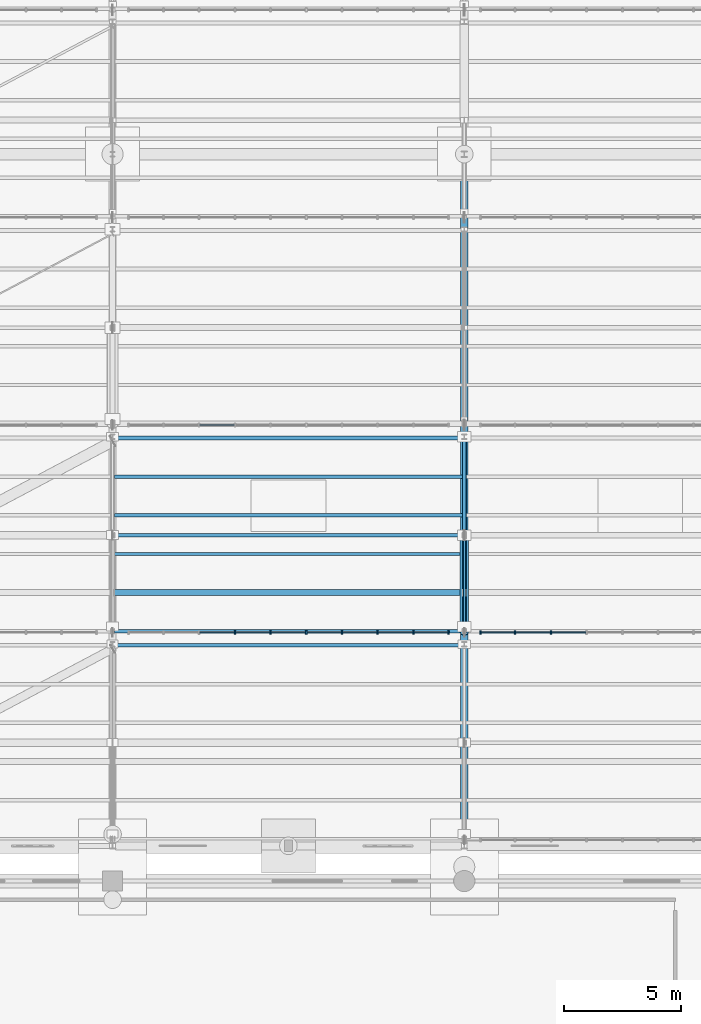
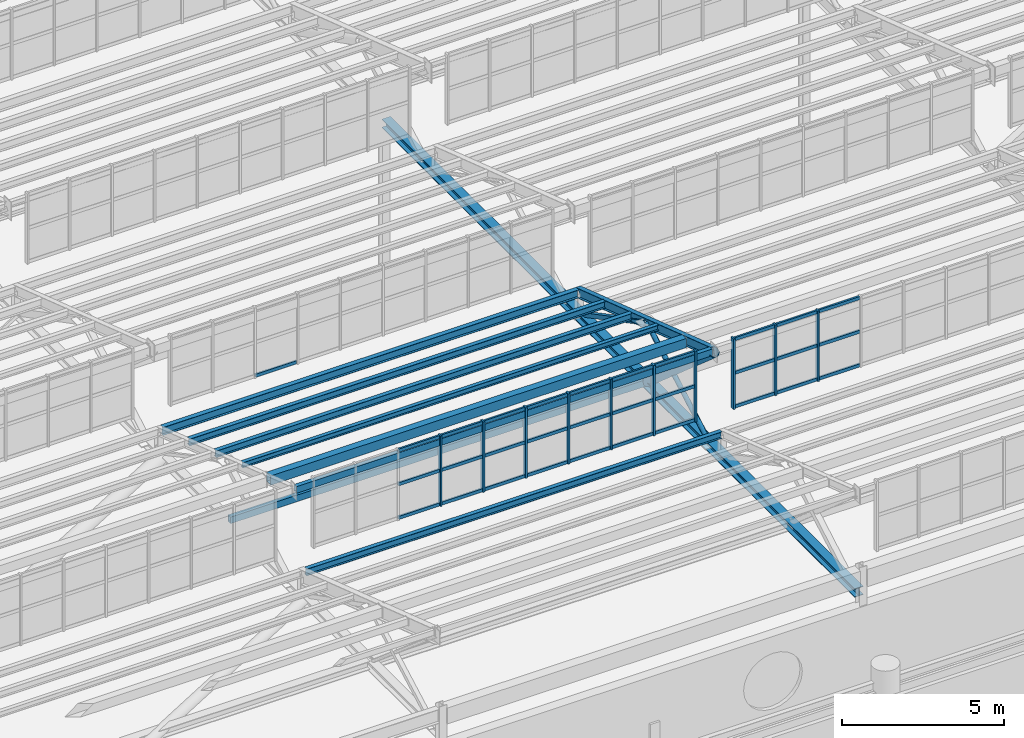
# One storey, part 76 of 285: 45 members, 9 beams, 3 elements without a shape of their own.
"""IFC4 building model written with IfcOpenShell, lengths in metres."""

from ifc_helpers import new_model, si_unit, direction, frame, origin, origin_2d, place, context, subcontext, project, spatial, rectangle, hollow_rectangle, hollow_circle, i_section, extrude, material, material_profile, profile_set, type_object, element, aggregate, save


model = new_model("IFC4")

# Units and contexts
model_context = context("Model", 3, precision=1e-05, world=origin(), true_north=direction((0.0, 1.0)))
body_context = subcontext(model_context, "Body", "Model", "MODEL_VIEW")
ifc_project = project(units=[si_unit("LENGTHUNIT", "METRE"), si_unit("AREAUNIT", "SQUARE_METRE"), si_unit("VOLUMEUNIT", "CUBIC_METRE"), si_unit("PLANEANGLEUNIT", "RADIAN"), si_unit("MASSUNIT", "GRAM", prefix="KILO")], contexts=[model_context])

# Site, building, storey
site_placement = place(None, origin())
site = spatial("IfcSite", under=ifc_project, at=site_placement, CompositionType="ELEMENT")
building_placement = place(site_placement, origin())
building = spatial("IfcBuilding", under=site, at=building_placement, Name="Solanera Park Tramway Depot", CompositionType="ELEMENT")
storey_placement = place(building_placement, origin())
storey = spatial("IfcBuildingStorey", under=building, at=storey_placement, Name="L00", CompositionType="ELEMENT", Elevation=0.0)

# Curtain wall, members
ifc_material_1 = material(Name="Bronze-anodised thermally broken aluminium curtain wall", Category="aluminium")
curtain_wall_type = type_object("IfcCurtainWallType", Name="Sawtooth Clerestory Monitor Curtain Wall", PredefinedType="NOTDEFINED", material=ifc_material_1)
curtain_wall_1_placement = place(storey_placement, origin())
curtain_wall_1 = element("IfcCurtainWall", 1, at=curtain_wall_1_placement, inside=storey, type_object=curtain_wall_type, Name="L00 Sawtooth Clerestory Monitor Curtain Wall #007", PredefinedType="NOTDEFINED")
ifc_material_2 = material(Name="Bronze-anodised structural aluminium 6063-T6", Category="aluminium")
ifc_material_profile_1 = material_profile(ifc_material_2, rectangle(XDim=0.06494140625, YDim=0.14990234375, at=origin_2d()), Name="Curtain Wall Mullion 65x150")
ifc_profile_set_1 = profile_set([ifc_material_profile_1], Name="Bronze-anodised structural aluminium 6063-T6")
member_type_1 = type_object("IfcMemberType", Name="Curtain Wall Mullion 65x150", PredefinedType="MULLION", material=ifc_profile_set_1)
member_1_placement = place(storey_placement, frame((65.216796875, 64.60009765625, 7.75), z_axis=(0.0, 0.0, 1.0), x_axis=(1.0, 0.0, 0.0)))
member_1 = element("IfcMember", 2, at=member_1_placement, type_object=member_type_1, Name="CW-L00-007 Mullion 4", PredefinedType="MULLION", context=body_context, shape_type="SweptSolid", body=[
    extrude(rectangle(XDim=0.06494140625, YDim=0.14990234375, at=origin_2d()), origin(), (0.0, 0.0, 1.0), 2.6611328125),
])
member_2_placement = place(storey_placement, frame((66.739013671875, 64.60009765625, 7.75), z_axis=(0.0, 0.0, 1.0), x_axis=(1.0, 0.0, 0.0)))
member_2 = element("IfcMember", 3, at=member_2_placement, type_object=member_type_1, Name="CW-L00-007 Mullion 5", PredefinedType="MULLION", context=body_context, shape_type="SweptSolid", body=[
    extrude(rectangle(XDim=0.06494140625, YDim=0.14990234375, at=origin_2d()), origin(), (0.0, 0.0, 1.0), 2.6611328125),
])
member_3_placement = place(storey_placement, frame((68.260986328125, 64.60009765625, 7.75), z_axis=(0.0, 0.0, 1.0), x_axis=(1.0, 0.0, 0.0)))
member_3 = element("IfcMember", 4, at=member_3_placement, type_object=member_type_1, Name="CW-L00-007 Mullion 6", PredefinedType="MULLION", context=body_context, shape_type="SweptSolid", body=[
    extrude(rectangle(XDim=0.06494140625, YDim=0.14990234375, at=origin_2d()), origin(), (0.0, 0.0, 1.0), 2.6611328125),
])
member_4_placement = place(storey_placement, frame((69.783203125, 64.60009765625, 7.75), z_axis=(0.0, 0.0, 1.0), x_axis=(1.0, 0.0, 0.0)))
member_4 = element("IfcMember", 5, at=member_4_placement, type_object=member_type_1, Name="CW-L00-007 Mullion 7", PredefinedType="MULLION", context=body_context, shape_type="SweptSolid", body=[
    extrude(rectangle(XDim=0.06494140625, YDim=0.14990234375, at=origin_2d()), origin(), (0.0, 0.0, 1.0), 2.6611328125),
])
member_5_placement = place(storey_placement, frame((71.3056640625, 64.60009765625, 7.75), z_axis=(0.0, 0.0, 1.0), x_axis=(1.0, 0.0, 0.0)))
member_5 = element("IfcMember", 6, at=member_5_placement, type_object=member_type_1, Name="CW-L00-007 Mullion 8", PredefinedType="MULLION", context=body_context, shape_type="SweptSolid", body=[
    extrude(rectangle(XDim=0.06494140625, YDim=0.14990234375, at=origin_2d()), origin(), (0.0, 0.0, 1.0), 2.6611328125),
])
member_6_placement = place(storey_placement, frame((72.827880859375, 64.60009765625, 7.75), z_axis=(0.0, 0.0, 1.0), x_axis=(1.0, 0.0, 0.0)))
member_6 = element("IfcMember", 7, at=member_6_placement, type_object=member_type_1, Name="CW-L00-007 Mullion 9", PredefinedType="MULLION", context=body_context, shape_type="SweptSolid", body=[
    extrude(rectangle(XDim=0.06494140625, YDim=0.14990234375, at=origin_2d()), origin(), (0.0, 0.0, 1.0), 2.6611328125),
])
member_7_placement = place(storey_placement, frame((74.3173828125, 64.60009765625, 7.75), z_axis=(0.0, 0.0, 1.0), x_axis=(1.0, 0.0, 0.0)))
member_7 = element("IfcMember", 8, at=member_7_placement, type_object=member_type_1, Name="CW-L00-007 Mullion 10", PredefinedType="MULLION", context=body_context, shape_type="SweptSolid", body=[
    extrude(rectangle(XDim=0.06494140625, YDim=0.14990234375, at=origin_2d()), origin(), (0.0, 0.0, 1.0), 2.6611328125),
])

curtain_wall_2_placement = place(storey_placement, origin())
curtain_wall_2 = element("IfcCurtainWall", 9, at=curtain_wall_2_placement, inside=storey, type_object=curtain_wall_type, Name="L00 Sawtooth Clerestory Monitor Curtain Wall #008", PredefinedType="NOTDEFINED")
member_8_placement = place(storey_placement, frame((75.6826171875, 64.60009765625, 7.75), z_axis=(0.0, 0.0, 1.0), x_axis=(1.0, 0.0, 0.0)))
member_8 = element("IfcMember", 10, at=member_8_placement, type_object=member_type_1, Name="CW-L00-008 Mullion 1", PredefinedType="MULLION", context=body_context, shape_type="SweptSolid", body=[
    extrude(rectangle(XDim=0.06494140625, YDim=0.14990234375, at=origin_2d()), origin(), (0.0, 0.0, 1.0), 2.6611328125),
])
member_9_placement = place(storey_placement, frame((77.172119140625, 64.60009765625, 7.75), z_axis=(0.0, 0.0, 1.0), x_axis=(1.0, 0.0, 0.0)))
member_9 = element("IfcMember", 11, at=member_9_placement, type_object=member_type_1, Name="CW-L00-008 Mullion 2", PredefinedType="MULLION", context=body_context, shape_type="SweptSolid", body=[
    extrude(rectangle(XDim=0.06494140625, YDim=0.14990234375, at=origin_2d()), origin(), (0.0, 0.0, 1.0), 2.6611328125),
])
member_10_placement = place(storey_placement, frame((78.6943359375, 64.60009765625, 7.75), z_axis=(0.0, 0.0, 1.0), x_axis=(1.0, 0.0, 0.0)))
member_10 = element("IfcMember", 12, at=member_10_placement, type_object=member_type_1, Name="CW-L00-008 Mullion 3", PredefinedType="MULLION", context=body_context, shape_type="SweptSolid", body=[
    extrude(rectangle(XDim=0.06494140625, YDim=0.14990234375, at=origin_2d()), origin(), (0.0, 0.0, 1.0), 2.6611328125),
])

# Member
ifc_material_3 = material(Name="Bronze-anodised structural aluminium 6063-T6", Category="aluminium")
ifc_material_profile_2 = material_profile(ifc_material_3, rectangle(XDim=0.06494140625, YDim=0.1201171875, at=origin_2d()), Name="Curtain Wall Transom 65x120")
ifc_profile_set_2 = profile_set([ifc_material_profile_2], Name="Bronze-anodised structural aluminium 6063-T6")
member_type_2 = type_object("IfcMemberType", Name="Curtain Wall Transom 65x120", PredefinedType="USERDEFINED", material=ifc_profile_set_2)
member_11_placement = place(storey_placement, frame((63.722412109375, 64.60009765625, 7.81005859375), z_axis=(1.0, 0.0, 0.0), x_axis=(0.0, 1.0, 0.0)))
member_11 = element("IfcMember", 13, at=member_11_placement, type_object=member_type_2, Name="CW-L00-007 Transom R1.C3", ObjectType="TRANSOM", PredefinedType="USERDEFINED", context=body_context, shape_type="SweptSolid", body=[
    extrude(rectangle(XDim=0.06494140625, YDim=0.1201171875, at=origin_2d()), origin(), (0.0, 0.0, 1.0), 1.46630859375),
])

member_12_placement = place(storey_placement, frame((65.24462890625, 64.60009765625, 7.81005859375), z_axis=(1.0, 0.0, 0.0), x_axis=(0.0, 1.0, 0.0)))
member_12 = element("IfcMember", 14, at=member_12_placement, type_object=member_type_2, Name="CW-L00-007 Transom R1.C4", ObjectType="TRANSOM", PredefinedType="USERDEFINED", context=body_context, shape_type="SweptSolid", body=[
    extrude(rectangle(XDim=0.06494140625, YDim=0.1201171875, at=origin_2d()), origin(), (0.0, 0.0, 1.0), 1.46630859375),
])

member_13_placement = place(storey_placement, frame((66.766845703125, 64.60009765625, 7.81005859375), z_axis=(1.0, 0.0, 0.0), x_axis=(0.0, 1.0, 0.0)))
member_13 = element("IfcMember", 15, at=member_13_placement, type_object=member_type_2, Name="CW-L00-007 Transom R1.C5", ObjectType="TRANSOM", PredefinedType="USERDEFINED", context=body_context, shape_type="SweptSolid", body=[
    extrude(rectangle(XDim=0.06494140625, YDim=0.1201171875, at=origin_2d()), origin(), (0.0, 0.0, 1.0), 1.46630859375),
])

member_14_placement = place(storey_placement, frame((68.2890625, 64.60009765625, 7.81005859375), z_axis=(1.0, 0.0, 0.0), x_axis=(0.0, 1.0, 0.0)))
member_14 = element("IfcMember", 16, at=member_14_placement, type_object=member_type_2, Name="CW-L00-007 Transom R1.C6", ObjectType="TRANSOM", PredefinedType="USERDEFINED", context=body_context, shape_type="SweptSolid", body=[
    extrude(rectangle(XDim=0.06494140625, YDim=0.1201171875, at=origin_2d()), origin(), (0.0, 0.0, 1.0), 1.46630859375),
])

member_15_placement = place(storey_placement, frame((69.811279296875, 64.60009765625, 7.81005859375), z_axis=(1.0, 0.0, 0.0), x_axis=(0.0, 1.0, 0.0)))
member_15 = element("IfcMember", 17, at=member_15_placement, type_object=member_type_2, Name="CW-L00-007 Transom R1.C7", ObjectType="TRANSOM", PredefinedType="USERDEFINED", context=body_context, shape_type="SweptSolid", body=[
    extrude(rectangle(XDim=0.06494140625, YDim=0.1201171875, at=origin_2d()), origin(), (0.0, 0.0, 1.0), 1.46630859375),
])

member_16_placement = place(storey_placement, frame((71.33349609375, 64.60009765625, 7.81005859375), z_axis=(1.0, 0.0, 0.0), x_axis=(0.0, 1.0, 0.0)))
member_16 = element("IfcMember", 18, at=member_16_placement, type_object=member_type_2, Name="CW-L00-007 Transom R1.C8", ObjectType="TRANSOM", PredefinedType="USERDEFINED", context=body_context, shape_type="SweptSolid", body=[
    extrude(rectangle(XDim=0.06494140625, YDim=0.1201171875, at=origin_2d()), origin(), (0.0, 0.0, 1.0), 1.46630859375),
])

member_17_placement = place(storey_placement, frame((72.855712890625, 64.60009765625, 7.81005859375), z_axis=(1.0, 0.0, 0.0), x_axis=(0.0, 1.0, 0.0)))
member_17 = element("IfcMember", 19, at=member_17_placement, type_object=member_type_2, Name="CW-L00-007 Transom R1.C9", ObjectType="TRANSOM", PredefinedType="USERDEFINED", context=body_context, shape_type="SweptSolid", body=[
    extrude(rectangle(XDim=0.06494140625, YDim=0.1201171875, at=origin_2d()), origin(), (0.0, 0.0, 1.0), 1.433837890625),
])

member_18_placement = place(storey_placement, frame((63.722412109375, 64.60009765625, 9.08056640625), z_axis=(1.0, 0.0, 0.0), x_axis=(0.0, 1.0, 0.0)))
member_18 = element("IfcMember", 20, at=member_18_placement, type_object=member_type_2, Name="CW-L00-007 Transom R2.C3", ObjectType="TRANSOM", PredefinedType="USERDEFINED", context=body_context, shape_type="SweptSolid", body=[
    extrude(rectangle(XDim=0.06494140625, YDim=0.1201171875, at=origin_2d()), origin(), (0.0, 0.0, 1.0), 1.46630859375),
])

member_19_placement = place(storey_placement, frame((65.24462890625, 64.60009765625, 9.08056640625), z_axis=(1.0, 0.0, 0.0), x_axis=(0.0, 1.0, 0.0)))
member_19 = element("IfcMember", 21, at=member_19_placement, type_object=member_type_2, Name="CW-L00-007 Transom R2.C4", ObjectType="TRANSOM", PredefinedType="USERDEFINED", context=body_context, shape_type="SweptSolid", body=[
    extrude(rectangle(XDim=0.06494140625, YDim=0.1201171875, at=origin_2d()), origin(), (0.0, 0.0, 1.0), 1.46630859375),
])

member_20_placement = place(storey_placement, frame((66.766845703125, 64.60009765625, 9.08056640625), z_axis=(1.0, 0.0, 0.0), x_axis=(0.0, 1.0, 0.0)))
member_20 = element("IfcMember", 22, at=member_20_placement, type_object=member_type_2, Name="CW-L00-007 Transom R2.C5", ObjectType="TRANSOM", PredefinedType="USERDEFINED", context=body_context, shape_type="SweptSolid", body=[
    extrude(rectangle(XDim=0.06494140625, YDim=0.1201171875, at=origin_2d()), origin(), (0.0, 0.0, 1.0), 1.46630859375),
])

member_21_placement = place(storey_placement, frame((68.2890625, 64.60009765625, 9.08056640625), z_axis=(1.0, 0.0, 0.0), x_axis=(0.0, 1.0, 0.0)))
member_21 = element("IfcMember", 23, at=member_21_placement, type_object=member_type_2, Name="CW-L00-007 Transom R2.C6", ObjectType="TRANSOM", PredefinedType="USERDEFINED", context=body_context, shape_type="SweptSolid", body=[
    extrude(rectangle(XDim=0.06494140625, YDim=0.1201171875, at=origin_2d()), origin(), (0.0, 0.0, 1.0), 1.46630859375),
])

member_22_placement = place(storey_placement, frame((69.811279296875, 64.60009765625, 9.08056640625), z_axis=(1.0, 0.0, 0.0), x_axis=(0.0, 1.0, 0.0)))
member_22 = element("IfcMember", 24, at=member_22_placement, type_object=member_type_2, Name="CW-L00-007 Transom R2.C7", ObjectType="TRANSOM", PredefinedType="USERDEFINED", context=body_context, shape_type="SweptSolid", body=[
    extrude(rectangle(XDim=0.06494140625, YDim=0.1201171875, at=origin_2d()), origin(), (0.0, 0.0, 1.0), 1.46630859375),
])

member_23_placement = place(storey_placement, frame((71.33349609375, 64.60009765625, 9.08056640625), z_axis=(1.0, 0.0, 0.0), x_axis=(0.0, 1.0, 0.0)))
member_23 = element("IfcMember", 25, at=member_23_placement, type_object=member_type_2, Name="CW-L00-007 Transom R2.C8", ObjectType="TRANSOM", PredefinedType="USERDEFINED", context=body_context, shape_type="SweptSolid", body=[
    extrude(rectangle(XDim=0.06494140625, YDim=0.1201171875, at=origin_2d()), origin(), (0.0, 0.0, 1.0), 1.46630859375),
])

member_24_placement = place(storey_placement, frame((72.855712890625, 64.60009765625, 9.08056640625), z_axis=(1.0, 0.0, 0.0), x_axis=(0.0, 1.0, 0.0)))
member_24 = element("IfcMember", 26, at=member_24_placement, type_object=member_type_2, Name="CW-L00-007 Transom R2.C9", ObjectType="TRANSOM", PredefinedType="USERDEFINED", context=body_context, shape_type="SweptSolid", body=[
    extrude(rectangle(XDim=0.06494140625, YDim=0.1201171875, at=origin_2d()), origin(), (0.0, 0.0, 1.0), 1.433837890625),
])

member_25_placement = place(storey_placement, frame((63.722412109375, 64.60009765625, 10.351318359375), z_axis=(1.0, 0.0, 0.0), x_axis=(0.0, 1.0, 0.0)))
member_25 = element("IfcMember", 27, at=member_25_placement, type_object=member_type_2, Name="CW-L00-007 Transom R3.C3", ObjectType="TRANSOM", PredefinedType="USERDEFINED", context=body_context, shape_type="SweptSolid", body=[
    extrude(rectangle(XDim=0.06494140625, YDim=0.1201171875, at=origin_2d()), origin(), (0.0, 0.0, 1.0), 1.46630859375),
])

member_26_placement = place(storey_placement, frame((65.24462890625, 64.60009765625, 10.351318359375), z_axis=(1.0, 0.0, 0.0), x_axis=(0.0, 1.0, 0.0)))
member_26 = element("IfcMember", 28, at=member_26_placement, type_object=member_type_2, Name="CW-L00-007 Transom R3.C4", ObjectType="TRANSOM", PredefinedType="USERDEFINED", context=body_context, shape_type="SweptSolid", body=[
    extrude(rectangle(XDim=0.06494140625, YDim=0.1201171875, at=origin_2d()), origin(), (0.0, 0.0, 1.0), 1.46630859375),
])

member_27_placement = place(storey_placement, frame((66.766845703125, 64.60009765625, 10.351318359375), z_axis=(1.0, 0.0, 0.0), x_axis=(0.0, 1.0, 0.0)))
member_27 = element("IfcMember", 29, at=member_27_placement, type_object=member_type_2, Name="CW-L00-007 Transom R3.C5", ObjectType="TRANSOM", PredefinedType="USERDEFINED", context=body_context, shape_type="SweptSolid", body=[
    extrude(rectangle(XDim=0.06494140625, YDim=0.1201171875, at=origin_2d()), origin(), (0.0, 0.0, 1.0), 1.46630859375),
])

member_28_placement = place(storey_placement, frame((68.2890625, 64.60009765625, 10.351318359375), z_axis=(1.0, 0.0, 0.0), x_axis=(0.0, 1.0, 0.0)))
member_28 = element("IfcMember", 30, at=member_28_placement, type_object=member_type_2, Name="CW-L00-007 Transom R3.C6", ObjectType="TRANSOM", PredefinedType="USERDEFINED", context=body_context, shape_type="SweptSolid", body=[
    extrude(rectangle(XDim=0.06494140625, YDim=0.1201171875, at=origin_2d()), origin(), (0.0, 0.0, 1.0), 1.46630859375),
])

member_29_placement = place(storey_placement, frame((69.811279296875, 64.60009765625, 10.351318359375), z_axis=(1.0, 0.0, 0.0), x_axis=(0.0, 1.0, 0.0)))
member_29 = element("IfcMember", 31, at=member_29_placement, type_object=member_type_2, Name="CW-L00-007 Transom R3.C7", ObjectType="TRANSOM", PredefinedType="USERDEFINED", context=body_context, shape_type="SweptSolid", body=[
    extrude(rectangle(XDim=0.06494140625, YDim=0.1201171875, at=origin_2d()), origin(), (0.0, 0.0, 1.0), 1.46630859375),
])

member_30_placement = place(storey_placement, frame((71.33349609375, 64.60009765625, 10.351318359375), z_axis=(1.0, 0.0, 0.0), x_axis=(0.0, 1.0, 0.0)))
member_30 = element("IfcMember", 32, at=member_30_placement, type_object=member_type_2, Name="CW-L00-007 Transom R3.C8", ObjectType="TRANSOM", PredefinedType="USERDEFINED", context=body_context, shape_type="SweptSolid", body=[
    extrude(rectangle(XDim=0.06494140625, YDim=0.1201171875, at=origin_2d()), origin(), (0.0, 0.0, 1.0), 1.46630859375),
])

member_31_placement = place(storey_placement, frame((72.855712890625, 64.60009765625, 10.351318359375), z_axis=(1.0, 0.0, 0.0), x_axis=(0.0, 1.0, 0.0)))
member_31 = element("IfcMember", 33, at=member_31_placement, type_object=member_type_2, Name="CW-L00-007 Transom R3.C9", ObjectType="TRANSOM", PredefinedType="USERDEFINED", context=body_context, shape_type="SweptSolid", body=[
    extrude(rectangle(XDim=0.06494140625, YDim=0.1201171875, at=origin_2d()), origin(), (0.0, 0.0, 1.0), 1.433837890625),
])

aggregate(curtain_wall_1, [member_1, member_2, member_3, member_4, member_5, member_6, member_7, member_11, member_12, member_13, member_14, member_15, member_16, member_17, member_18, member_19, member_20, member_21, member_22, member_23, member_24, member_25, member_26, member_27, member_28, member_29, member_30, member_31])

member_32_placement = place(storey_placement, frame((75.71044921875, 64.60009765625, 7.81005859375), z_axis=(1.0, 0.0, 0.0), x_axis=(0.0, 1.0, 0.0)))
member_32 = element("IfcMember", 34, at=member_32_placement, type_object=member_type_2, Name="CW-L00-008 Transom R1.C1", ObjectType="TRANSOM", PredefinedType="USERDEFINED", context=body_context, shape_type="SweptSolid", body=[
    extrude(rectangle(XDim=0.06494140625, YDim=0.1201171875, at=origin_2d()), origin(), (0.0, 0.0, 1.0), 1.433837890625),
])

member_33_placement = place(storey_placement, frame((77.2001953125, 64.60009765625, 7.81005859375), z_axis=(1.0, 0.0, 0.0), x_axis=(0.0, 1.0, 0.0)))
member_33 = element("IfcMember", 35, at=member_33_placement, type_object=member_type_2, Name="CW-L00-008 Transom R1.C2", ObjectType="TRANSOM", PredefinedType="USERDEFINED", context=body_context, shape_type="SweptSolid", body=[
    extrude(rectangle(XDim=0.06494140625, YDim=0.1201171875, at=origin_2d()), origin(), (0.0, 0.0, 1.0), 1.46630859375),
])

member_34_placement = place(storey_placement, frame((78.722412109375, 64.60009765625, 7.81005859375), z_axis=(1.0, 0.0, 0.0), x_axis=(0.0, 1.0, 0.0)))
member_34 = element("IfcMember", 36, at=member_34_placement, type_object=member_type_2, Name="CW-L00-008 Transom R1.C3", ObjectType="TRANSOM", PredefinedType="USERDEFINED", context=body_context, shape_type="SweptSolid", body=[
    extrude(rectangle(XDim=0.06494140625, YDim=0.1201171875, at=origin_2d()), origin(), (0.0, 0.0, 1.0), 1.46630859375),
])

member_35_placement = place(storey_placement, frame((75.71044921875, 64.60009765625, 9.08056640625), z_axis=(1.0, 0.0, 0.0), x_axis=(0.0, 1.0, 0.0)))
member_35 = element("IfcMember", 37, at=member_35_placement, type_object=member_type_2, Name="CW-L00-008 Transom R2.C1", ObjectType="TRANSOM", PredefinedType="USERDEFINED", context=body_context, shape_type="SweptSolid", body=[
    extrude(rectangle(XDim=0.06494140625, YDim=0.1201171875, at=origin_2d()), origin(), (0.0, 0.0, 1.0), 1.433837890625),
])

member_36_placement = place(storey_placement, frame((77.2001953125, 64.60009765625, 9.08056640625), z_axis=(1.0, 0.0, 0.0), x_axis=(0.0, 1.0, 0.0)))
member_36 = element("IfcMember", 38, at=member_36_placement, type_object=member_type_2, Name="CW-L00-008 Transom R2.C2", ObjectType="TRANSOM", PredefinedType="USERDEFINED", context=body_context, shape_type="SweptSolid", body=[
    extrude(rectangle(XDim=0.06494140625, YDim=0.1201171875, at=origin_2d()), origin(), (0.0, 0.0, 1.0), 1.46630859375),
])

member_37_placement = place(storey_placement, frame((78.722412109375, 64.60009765625, 9.08056640625), z_axis=(1.0, 0.0, 0.0), x_axis=(0.0, 1.0, 0.0)))
member_37 = element("IfcMember", 39, at=member_37_placement, type_object=member_type_2, Name="CW-L00-008 Transom R2.C3", ObjectType="TRANSOM", PredefinedType="USERDEFINED", context=body_context, shape_type="SweptSolid", body=[
    extrude(rectangle(XDim=0.06494140625, YDim=0.1201171875, at=origin_2d()), origin(), (0.0, 0.0, 1.0), 1.46630859375),
])

member_38_placement = place(storey_placement, frame((75.71044921875, 64.60009765625, 10.351318359375), z_axis=(1.0, 0.0, 0.0), x_axis=(0.0, 1.0, 0.0)))
member_38 = element("IfcMember", 40, at=member_38_placement, type_object=member_type_2, Name="CW-L00-008 Transom R3.C1", ObjectType="TRANSOM", PredefinedType="USERDEFINED", context=body_context, shape_type="SweptSolid", body=[
    extrude(rectangle(XDim=0.06494140625, YDim=0.1201171875, at=origin_2d()), origin(), (0.0, 0.0, 1.0), 1.433837890625),
])

member_39_placement = place(storey_placement, frame((77.2001953125, 64.60009765625, 10.351318359375), z_axis=(1.0, 0.0, 0.0), x_axis=(0.0, 1.0, 0.0)))
member_39 = element("IfcMember", 41, at=member_39_placement, type_object=member_type_2, Name="CW-L00-008 Transom R3.C2", ObjectType="TRANSOM", PredefinedType="USERDEFINED", context=body_context, shape_type="SweptSolid", body=[
    extrude(rectangle(XDim=0.06494140625, YDim=0.1201171875, at=origin_2d()), origin(), (0.0, 0.0, 1.0), 1.46630859375),
])

member_40_placement = place(storey_placement, frame((78.722412109375, 64.60009765625, 10.351318359375), z_axis=(1.0, 0.0, 0.0), x_axis=(0.0, 1.0, 0.0)))
member_40 = element("IfcMember", 42, at=member_40_placement, type_object=member_type_2, Name="CW-L00-008 Transom R3.C3", ObjectType="TRANSOM", PredefinedType="USERDEFINED", context=body_context, shape_type="SweptSolid", body=[
    extrude(rectangle(XDim=0.06494140625, YDim=0.1201171875, at=origin_2d()), origin(), (0.0, 0.0, 1.0), 1.46630859375),
])

aggregate(curtain_wall_2, [member_8, member_9, member_10, member_32, member_33, member_34, member_35, member_36, member_37, member_38, member_39, member_40])

# Curtain wall, member
curtain_wall_3_placement = place(storey_placement, origin())
curtain_wall_3 = element("IfcCurtainWall", 43, at=curtain_wall_3_placement, inside=storey, type_object=curtain_wall_type, Name="L00 Sawtooth Clerestory Monitor Curtain Wall #015", PredefinedType="NOTDEFINED")
member_41_placement = place(storey_placement, frame((63.722412109375, 73.449951171875, 7.81005859375), z_axis=(1.0, 0.0, 0.0), x_axis=(0.0, 1.0, 0.0)))
member_41 = element("IfcMember", 44, at=member_41_placement, type_object=member_type_2, Name="CW-L00-015 Transom R1.C3", ObjectType="TRANSOM", PredefinedType="USERDEFINED", context=body_context, shape_type="SweptSolid", body=[
    extrude(rectangle(XDim=0.06494140625, YDim=0.1201171875, at=origin_2d()), origin(), (0.0, 0.0, 1.0), 1.46630859375),
])
aggregate(curtain_wall_3, [member_41])

# Members
ifc_material_4 = material(Name="Steel AS/NZS 1163 Grade C350L0", Category="steel")
ifc_material_profile_3 = material_profile(ifc_material_4, hollow_circle(Radius=0.084228515625, WallThickness=0.00634765625, at=origin_2d()), Name="168.3x6.4 CHS")
ifc_profile_set_3 = profile_set([ifc_material_profile_3], Name="Steel AS/NZS 1163 Grade C350L0")
member_type_3 = type_object("IfcMemberType", Name="Roof Gantry Compression Strut 168.3x6.4 CHS", PredefinedType="STRUT", material=ifc_profile_set_3)
member_42_placement = place(storey_placement, frame((75.0, 64.85009765625, 6.5), z_axis=(0.0, 0.869202540842, 0.49445620938), x_axis=(-1.0, 0.0, 0.0)))
element("IfcMember", 45, at=member_42_placement, inside=storey, type_object=member_type_3, Name="Sawtooth ROOF TRUSS Strut 168.3x6.4 CHS #0060", PredefinedType="STRUT", context=body_context, shape_type="SweptSolid", body=[
    extrude(hollow_circle(Radius=0.084228515625, WallThickness=0.00634765625, at=origin_2d()), origin(), (0.0, 0.0, 1.0), 4.48681640625),
])
ifc_material_5 = material(Name="Steel AS/NZS 1163 Grade C350L0", Category="steel")
ifc_material_profile_4 = material_profile(ifc_material_5, hollow_rectangle(XDim=0.14990234375, YDim=0.25, WallThickness=0.008056640625, at=origin_2d()), Name="250x150x8.0 RHS")
ifc_profile_set_4 = profile_set([ifc_material_profile_4], Name="Steel AS/NZS 1163 Grade C350L0")
member_type_4 = type_object("IfcMemberType", Name="Secondary Truss Chord 250x150x8.0 RHS", PredefinedType="CHORD", material=ifc_profile_set_4)
member_43_placement = place(storey_placement, frame((60.087890625, 68.75, 6.5), z_axis=(1.0, 0.0, 0.0), x_axis=(0.0, 1.0, 0.0)))
element("IfcMember", 46, at=member_43_placement, inside=storey, type_object=member_type_4, Name="Sawtooth Longitudinal Tie Chord 250x150x8.0 RHS #0078", PredefinedType="CHORD", context=body_context, shape_type="SweptSolid", body=[
    extrude(hollow_rectangle(XDim=0.14990234375, YDim=0.25, WallThickness=0.008056640625, at=origin_2d()), origin(), (0.0, 0.0, 1.0), 14.82421875),
])

# Beams
ifc_material_6 = material(Name="Steel AS/NZS 3679.1 Grade 350", Category="steel")
ifc_material_profile_5 = material_profile(ifc_material_6, i_section(OverallWidth=0.310546875, OverallDepth=0.3271484375, WebThickness=0.015625, FlangeThickness=0.02490234375, at=origin_2d()), Name="310UC158")
ifc_profile_set_5 = profile_set([ifc_material_profile_5], Name="Steel AS/NZS 3679.1 Grade 350")
beam_type_1 = type_object("IfcBeamType", Name="Steel Beam 310UC158", PredefinedType="BEAM", material=ifc_profile_set_5)
beam_1_placement = place(storey_placement, frame((75.0, 55.6279296875, 6.5), z_axis=(0.0, 1.0, 0.0), x_axis=(-1.0, 0.0, 0.0)))
element("IfcBeam", 47, at=beam_1_placement, inside=storey, type_object=beam_type_1, Name="Sawtooth ROOF TRUSS Bottom Chord 310UC158 #0382", PredefinedType="BEAM", context=body_context, shape_type="SweptSolid", body=[
    extrude(i_section(OverallWidth=0.310546875, OverallDepth=0.3271484375, WebThickness=0.015625, FlangeThickness=0.02490234375, at=origin_2d()), origin(), (0.0, 0.0, 1.0), 29.2451171875),
])
ifc_material_7 = material(Name="Steel AS/NZS 3679.1 Grade 350", Category="steel")
ifc_material_profile_6 = material_profile(ifc_material_7, i_section(OverallWidth=0.17138671875, OverallDepth=0.355712890625, WebThickness=0.00732421875, FlangeThickness=0.011474609375, at=origin_2d()), Name="360UB50.7")
ifc_profile_set_6 = profile_set([ifc_material_profile_6], Name="Steel AS/NZS 3679.1 Grade 350")
beam_type_2 = type_object("IfcBeamType", Name="Steel Beam 360UB50.7", PredefinedType="BEAM", material=ifc_profile_set_6)
beam_2_placement = place(storey_placement, frame((75.0, 64.60009765625, 10.10693359375), z_axis=(0.0, 0.948319437663, -0.317317261034), x_axis=(-1.0, 0.0, 0.0)))
element("IfcBeam", 48, at=beam_2_placement, inside=storey, type_object=beam_type_2, Name="Sawtooth ROOF TRUSS Top Rafter 360UB50.7 B02-T5", PredefinedType="BEAM", context=body_context, shape_type="SweptSolid", body=[
    extrude(i_section(OverallWidth=0.17138671875, OverallDepth=0.355712890625, WebThickness=0.00732421875, FlangeThickness=0.011474609375, at=origin_2d()), origin(), (0.0, 0.0, 1.0), 8.804931640625),
])
ifc_material_8 = material(Name="Steel AS/NZS 3679.1 Grade 350", Category="steel")
ifc_material_profile_7 = material_profile(ifc_material_8, i_section(OverallWidth=0.13330078125, OverallDepth=0.203125, WebThickness=0.005859375, FlangeThickness=0.0078125, at=origin_2d()), Name="200UB25.4")
ifc_profile_set_7 = profile_set([ifc_material_profile_7], Name="Steel AS/NZS 3679.1 Grade 350")
beam_type_3 = type_object("IfcBeamType", Name="Steel Joist Purlin 200UB25.4", PredefinedType="JOIST", material=ifc_profile_set_7)
beam_3_placement = place(storey_placement, frame((60.074951171875, 67.949951171875, 9.06201171875), z_axis=(1.0, 0.0, 0.0), x_axis=(0.0, 1.0, 0.0)))
element("IfcBeam", 49, at=beam_3_placement, inside=storey, type_object=beam_type_3, Name="Sawtooth Roof Purlin 200UB25.4 B02.3", PredefinedType="JOIST", context=body_context, shape_type="SweptSolid", body=[
    extrude(i_section(OverallWidth=0.13330078125, OverallDepth=0.203125, WebThickness=0.005859375, FlangeThickness=0.0078125, at=origin_2d()), origin(), (0.0, 0.0, 1.0), 14.84716796875),
])
ifc_material_9 = material(Name="Steel AS/NZS 3679.1 Grade 350", Category="steel")
ifc_material_profile_8 = material_profile(ifc_material_9, i_section(OverallWidth=0.14599609375, OverallDepth=0.251708984375, WebThickness=0.006103515625, FlangeThickness=0.008544921875, at=origin_2d()), Name="250UB31.4")
ifc_profile_set_8 = profile_set([ifc_material_profile_8], Name="Steel AS/NZS 3679.1 Grade 350")
beam_type_4 = type_object("IfcBeamType", Name="Steel Joist Purlin 250UB31.4", PredefinedType="JOIST", material=ifc_profile_set_8)
beam_4_placement = place(storey_placement, frame((60.074951171875, 69.60009765625, 8.483642578125), z_axis=(1.0, 0.0, 0.0), x_axis=(0.0, 1.0, 0.0)))
element("IfcBeam", 50, at=beam_4_placement, inside=storey, type_object=beam_type_4, Name="Sawtooth Roof Purlin 250UB31.4 B02.4", PredefinedType="JOIST", context=body_context, shape_type="SweptSolid", body=[
    extrude(i_section(OverallWidth=0.14599609375, OverallDepth=0.251708984375, WebThickness=0.006103515625, FlangeThickness=0.008544921875, at=origin_2d()), origin(), (0.0, 0.0, 1.0), 14.84716796875),
])
ifc_material_10 = material(Name="Steel AS/NZS 3679.1 Grade 350", Category="steel")
ifc_material_profile_9 = material_profile(ifc_material_10, i_section(OverallWidth=0.146484375, OverallDepth=0.256103515625, WebThickness=0.00634765625, FlangeThickness=0.010986328125, at=origin_2d()), Name="250UB37.3")
ifc_profile_set_9 = profile_set([ifc_material_profile_9], Name="Steel AS/NZS 3679.1 Grade 350")
beam_type_5 = type_object("IfcBeamType", Name="Steel Joist Purlin 250UB37.3", PredefinedType="JOIST", material=ifc_profile_set_9)
beam_5_placement = place(storey_placement, frame((60.0966796875, 64.050048828125, 7.377197265625), z_axis=(1.0, 0.0, 0.0), x_axis=(0.0, 1.0, 0.0)))
element("IfcBeam", 51, at=beam_5_placement, inside=storey, type_object=beam_type_5, Name="Sawtooth Roof Purlin 250UB37.3 B01.6", PredefinedType="JOIST", context=body_context, shape_type="SweptSolid", body=[
    extrude(i_section(OverallWidth=0.146484375, OverallDepth=0.256103515625, WebThickness=0.00634765625, FlangeThickness=0.010986328125, at=origin_2d()), origin(), (0.0, 0.0, 1.0), 14.828369140625),
])
beam_6_placement = place(storey_placement, frame((60.074951171875, 71.25, 7.92919921875), z_axis=(1.0, 0.0, 0.0), x_axis=(0.0, 1.0, 0.0)))
element("IfcBeam", 52, at=beam_6_placement, inside=storey, type_object=beam_type_5, Name="Sawtooth Roof Purlin 250UB37.3 B02.5", PredefinedType="JOIST", context=body_context, shape_type="SweptSolid", body=[
    extrude(i_section(OverallWidth=0.146484375, OverallDepth=0.256103515625, WebThickness=0.00634765625, FlangeThickness=0.010986328125, at=origin_2d()), origin(), (0.0, 0.0, 1.0), 14.84716796875),
])
ifc_material_11 = material(Name="Steel AS/NZS 1163 Grade C350L0", Category="steel")
ifc_material_profile_10 = material_profile(ifc_material_11, hollow_rectangle(XDim=0.14990234375, YDim=0.25, WallThickness=0.008056640625, at=origin_2d()), Name="250x150x8.0 RHS")
ifc_profile_set_10 = profile_set([ifc_material_profile_10], Name="Steel AS/NZS 1163 Grade C350L0")
beam_type_6 = type_object("IfcBeamType", Name="Steel Joist Purlin 250x150x8.0 RHS", PredefinedType="JOIST", material=ifc_profile_set_10)
beam_7_placement = place(storey_placement, frame((60.074951171875, 64.64990234375, 10.139892578125), z_axis=(1.0, 0.0, 0.0), x_axis=(0.0, 1.0, 0.0)))
element("IfcBeam", 53, at=beam_7_placement, inside=storey, type_object=beam_type_6, Name="Sawtooth Roof Purlin 250x150x8.0 RHS B02.1", PredefinedType="JOIST", context=body_context, shape_type="SweptSolid", body=[
    extrude(hollow_rectangle(XDim=0.14990234375, YDim=0.25, WallThickness=0.008056640625, at=origin_2d()), origin(), (0.0, 0.0, 1.0), 14.84716796875),
])
ifc_material_12 = material(Name="Steel AS/NZS 3679.1 Grade 350", Category="steel")
ifc_material_profile_11 = material_profile(ifc_material_12, i_section(OverallWidth=0.1650390625, OverallDepth=0.3037109375, WebThickness=0.006103515625, FlangeThickness=0.01025390625, at=origin_2d()), Name="310UB40.4")
ifc_profile_set_11 = profile_set([ifc_material_profile_11], Name="Steel AS/NZS 3679.1 Grade 350")
beam_type_7 = type_object("IfcBeamType", Name="Steel Joist Purlin 310UB40.4", PredefinedType="JOIST", material=ifc_profile_set_11)
beam_8_placement = place(storey_placement, frame((60.074951171875, 72.89990234375, 7.35009765625), z_axis=(1.0, 0.0, 0.0), x_axis=(0.0, 1.0, 0.0)))
element("IfcBeam", 54, at=beam_8_placement, inside=storey, type_object=beam_type_7, Name="Sawtooth Roof Purlin 310UB40.4 B02.6", PredefinedType="JOIST", context=body_context, shape_type="SweptSolid", body=[
    extrude(i_section(OverallWidth=0.1650390625, OverallDepth=0.3037109375, WebThickness=0.006103515625, FlangeThickness=0.01025390625, at=origin_2d()), origin(), (0.0, 0.0, 1.0), 14.84716796875),
])
ifc_material_13 = material(Name="Steel AS/NZS 1163 Grade C350L0", Category="steel")
ifc_material_profile_12 = material_profile(ifc_material_13, hollow_rectangle(XDim=0.25, YDim=0.35009765625, WallThickness=0.010009765625, at=origin_2d()), Name="350x250x10.0 RHS")
ifc_profile_set_12 = profile_set([ifc_material_profile_12], Name="Steel AS/NZS 1163 Grade C350L0")
beam_type_8 = type_object("IfcBeamType", Name="Steel Joist Purlin 350x250x10.0 RHS", PredefinedType="JOIST", material=ifc_profile_set_12)
beam_9_placement = place(storey_placement, frame((60.074951171875, 66.300048828125, 9.521240234375), z_axis=(1.0, 0.0, 0.0), x_axis=(0.0, 1.0, 0.0)))
element("IfcBeam", 55, at=beam_9_placement, inside=storey, type_object=beam_type_8, Name="Sawtooth Roof Purlin 350x250x10.0 RHS B02.2", PredefinedType="JOIST", context=body_context, shape_type="SweptSolid", body=[
    extrude(hollow_rectangle(XDim=0.25, YDim=0.35009765625, WallThickness=0.010009765625, at=origin_2d()), origin(), (0.0, 0.0, 1.0), 14.84716796875),
])

# Members
ifc_material_14 = material(Name="Steel AS/NZS 1163 Grade C350L0", Category="steel")
ifc_material_profile_13 = material_profile(ifc_material_14, hollow_rectangle(XDim=0.14990234375, YDim=0.14990234375, WallThickness=0.006103515625, at=origin_2d()), Name="150x150x6.0 SHS")
ifc_profile_set_13 = profile_set([ifc_material_profile_13], Name="Steel AS/NZS 1163 Grade C350L0")
member_type_5 = type_object("IfcMemberType", Name="Truss and Frame Brace 150x150x6.0 SHS", PredefinedType="BRACE", material=ifc_profile_set_13)
member_44_placement = place(storey_placement, frame((75.0, 72.949951171875, 6.5), z_axis=(0.0, -0.884222622593, 0.467065684561), x_axis=(1.0, 0.0, 0.0)))
element("IfcMember", 56, at=member_44_placement, inside=storey, type_object=member_type_5, Name="Sawtooth ROOF TRUSS Diagonal 150x150x6.0 SHS #0059", PredefinedType="BRACE", context=body_context, shape_type="SweptSolid", body=[
    extrude(hollow_rectangle(XDim=0.14990234375, YDim=0.14990234375, WallThickness=0.006103515625, at=origin_2d()), origin(), (0.0, 0.0, 1.0), 4.75),
])
ifc_material_15 = material(Name="Steel AS/NZS 1163 Grade C350L0", Category="steel")
ifc_material_profile_14 = material_profile(ifc_material_15, hollow_circle(Radius=0.177734375, WallThickness=0.0126953125, at=origin_2d()), Name="355.6x12.7 CHS")
ifc_profile_set_14 = profile_set([ifc_material_profile_14], Name="Steel AS/NZS 1163 Grade C350L0")
member_type_6 = type_object("IfcMemberType", Name="Truss and Frame Brace 355.6x12.7 CHS", PredefinedType="BRACE", material=ifc_profile_set_14)
member_45_placement = place(storey_placement, frame((75.0, 68.75, 6.5), z_axis=(0.0, -0.754756538157, 0.656005006162), x_axis=(1.0, 0.0, 0.0)))
element("IfcMember", 57, at=member_45_placement, inside=storey, type_object=member_type_6, Name="Sawtooth ROOF TRUSS Web Brace 355.6x12.7 CHS #0058", PredefinedType="BRACE", context=body_context, shape_type="SweptSolid", body=[
    extrude(hollow_circle(Radius=0.177734375, WallThickness=0.0126953125, at=origin_2d()), origin(), (0.0, 0.0, 1.0), 5.498291015625),
])

save(model, "model.ifc")
